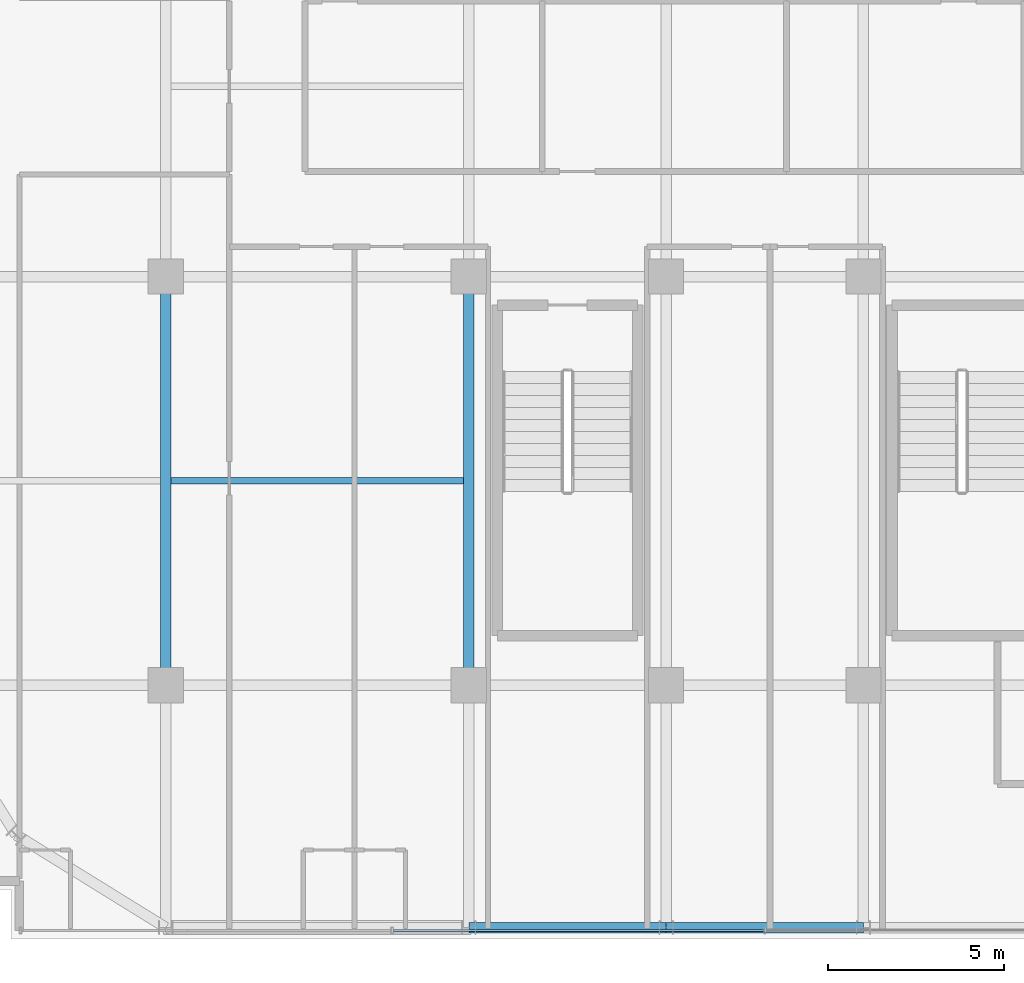
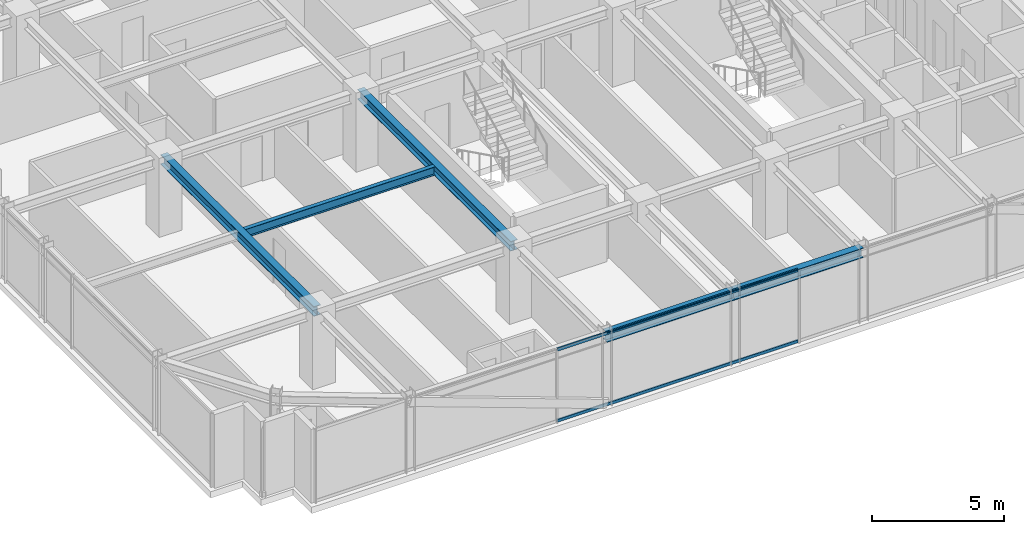
# One storey, part 7 of 43: 5 beams, 2 members, 1 element without a shape of its own.
"""IFC4 building model written with IfcOpenShell, lengths in metres."""

from ifc_helpers import new_model, si_unit, direction, frame, origin, origin_2d, place, context, subcontext, project, spatial, hollow_rectangle, i_section, extrude, source, transform, mapped, material, material_profile, profile_set, type_object, element, aggregate, save


model = new_model("IFC4")

# Units and contexts
model_context = context("Model", 3, precision=1e-05, world=origin(), true_north=direction((0.0, 1.0)))
body_context = subcontext(model_context, "Body", "Model", "MODEL_VIEW")
ifc_project = project(units=[si_unit("LENGTHUNIT", "METRE"), si_unit("AREAUNIT", "SQUARE_METRE"), si_unit("VOLUMEUNIT", "CUBIC_METRE"), si_unit("PLANEANGLEUNIT", "RADIAN"), si_unit("MASSUNIT", "GRAM", prefix="KILO")], contexts=[model_context])

# Site, building, storey
site_placement = place(None, origin())
site = spatial("IfcSite", under=ifc_project, at=site_placement, CompositionType="ELEMENT")
building_placement = place(site_placement, origin())
building = spatial("IfcBuilding", under=site, at=building_placement, Name="Nahalor Promenade Grand Hotel", CompositionType="ELEMENT")
storey_placement = place(building_placement, frame((0.0, 0.0, 204.89990234375)))
storey = spatial("IfcBuildingStorey", under=building, at=storey_placement, Name="L52", CompositionType="ELEMENT", Elevation=204.89990234375)

# Beams
ifc_material_1 = material(Name="Steel S355JR", Category="steel")
ifc_material_profile_1 = material_profile(ifc_material_1, i_section(OverallWidth=0.3, OverallDepth=0.45, WebThickness=0.014, FlangeThickness=0.026, at=origin_2d()), Name="HEB 450")
ifc_profile_set_1 = profile_set([ifc_material_profile_1], Name="Steel S355JR")
beam_type_1 = type_object("IfcBeamType", Name="Beam-Spandrel-HEB450", PredefinedType="SPANDREL", material=ifc_profile_set_1)
shared_shape_1 = source(origin(), body_context, "Body", "SweptSolid", [
    extrude(i_section(OverallWidth=0.3, OverallDepth=0.45, WebThickness=0.014, FlangeThickness=0.026, at=origin_2d()), origin(), (0.0, 0.0, 1.0), 5.599853515625),
])
beam_1_placement = place(storey_placement, frame((-8.39990234375, -23.8798828125, 3.18505859375), z_axis=(1.0, 0.0, 0.0), x_axis=(0.0, 1.0, 0.0)))
element("IfcBeam", 1, at=beam_1_placement, inside=storey, type_object=beam_type_1, Name="BM-L52-SP-S-1", PredefinedType="SPANDREL", context=body_context, shape_type="MappedRepresentation", body=[
    mapped(shared_shape_1, transform((0.0, 0.0, 0.0), scale=1.0)),
])
shared_shape_2 = source(origin(), body_context, "Body", "SweptSolid", [
    extrude(i_section(OverallWidth=0.3, OverallDepth=0.45, WebThickness=0.014, FlangeThickness=0.026, at=origin_2d()), origin(), (0.0, 0.0, 1.0), 5.60009765625),
])
beam_2_placement = place(storey_placement, frame((-2.800048828125, -23.8798828125, 3.18505859375), z_axis=(1.0, 0.0, 0.0), x_axis=(0.0, 1.0, 0.0)))
element("IfcBeam", 2, at=beam_2_placement, inside=storey, type_object=beam_type_1, Name="BM-L52-SP-S-2", PredefinedType="SPANDREL", context=body_context, shape_type="MappedRepresentation", body=[
    mapped(shared_shape_2, transform((0.0, 0.0, 0.0), scale=1.0)),
])
ifc_material_profile_2 = material_profile(ifc_material_1, i_section(OverallWidth=0.3, OverallDepth=0.45, WebThickness=0.014, FlangeThickness=0.026, at=origin_2d()), Name="HEB 450")
ifc_profile_set_2 = profile_set([ifc_material_profile_2], Name="Steel S355JR")
beam_type_2 = type_object("IfcBeamType", Name="Beam-Girder-HEB450", PredefinedType="BEAM", material=ifc_profile_set_2)
shared_shape_3 = source(origin(), body_context, "Body", "SweptSolid", [
    extrude(i_section(OverallWidth=0.3, OverallDepth=0.45, WebThickness=0.014, FlangeThickness=0.026, at=origin_2d()), origin(), (0.0, 0.0, 1.0), 11.60009765625),
])
for number, where, z_axis, x_axis, name in (
    (3, (-17.0, -17.0, 3.18505859375), (0.0, 1.0, 0.0), (-1.0, 0.0, 0.0), "BM-L52-GY-0-1"),
    (4, (-8.39990234375, -17.0, 3.18505859375), (0.0, 1.0, 0.0), (-1.0, 0.0, 0.0), "BM-L52-GY-1-1"),
):
    element("IfcBeam", number, at=place(storey_placement, frame(where, z_axis=z_axis, x_axis=x_axis)), inside=storey, type_object=beam_type_2, Name=name, PredefinedType="BEAM", context=body_context, shape_type="MappedRepresentation", body=[
        mapped(shared_shape_3, transform((0.0, 0.0, 0.0), scale=1.0)),
    ])
ifc_material_profile_3 = material_profile(ifc_material_1, i_section(OverallWidth=0.18, OverallDepth=0.4, WebThickness=0.0086, FlangeThickness=0.0135, at=origin_2d()), Name="IPE 400")
ifc_profile_set_3 = profile_set([ifc_material_profile_3], Name="Steel S355JR")
beam_type_3 = type_object("IfcBeamType", Name="Beam-Joist-IPE400", PredefinedType="JOIST", material=ifc_profile_set_3)
shared_shape_4 = source(origin(), body_context, "Body", "SweptSolid", [
    extrude(i_section(OverallWidth=0.18, OverallDepth=0.4, WebThickness=0.0086, FlangeThickness=0.0135, at=origin_2d()), origin(), (0.0, 0.0, 1.0), 8.300048828125),
])
beam_3_placement = place(storey_placement, frame((-16.85009765625, -11.199951171875, 3.210205078125), z_axis=(1.0, 0.0, 0.0), x_axis=(0.0, 1.0, 0.0)))
element("IfcBeam", 5, at=beam_3_placement, inside=storey, type_object=beam_type_3, Name="BM-L52-JSW-0-1", PredefinedType="JOIST", context=body_context, shape_type="MappedRepresentation", body=[
    mapped(shared_shape_4, transform((0.0, 0.0, 0.0), scale=1.0)),
])

# Curtain wall, members
ifc_material_2 = material(Name="Anodised Bronze Aluminium EN AW-6063 T6", Category="aluminium")
curtain_wall_type = type_object("IfcCurtainWallType", Name="CW2 Typical Hotel Flush Bronze Unitised Curtain Wall", PredefinedType="USERDEFINED", material=ifc_material_2)
curtain_wall_placement = place(storey_placement, origin())
curtain_wall = element("IfcCurtainWall", 6, at=curtain_wall_placement, inside=storey, type_object=curtain_wall_type, Name="L52 Curtain Wall CW-L52-S-1", ObjectType="UNITISED_CURTAIN_WALL", PredefinedType="USERDEFINED")
ifc_material_profile_4 = material_profile(ifc_material_2, hollow_rectangle(XDim=0.065, YDim=0.13, WallThickness=0.004, at=origin_2d()), Name="CWT 65x130x4")
ifc_profile_set_4 = profile_set([ifc_material_profile_4], Name="Anodised Bronze Aluminium EN AW-6063 T6")
member_type = type_object("IfcMemberType", Name="CWT2 Typical Bronze Transom 65x130", PredefinedType="USERDEFINED", material=ifc_profile_set_4)
shared_shape_5 = source(origin(), body_context, "Body", "SweptSolid", [
    extrude(hollow_rectangle(XDim=0.065, YDim=0.13, WallThickness=0.004, at=origin_2d()), origin(), (0.0, 0.0, 1.0), 10.51513671875),
])
member_1_placement = place(storey_placement, frame((-10.547607421875, -23.9599609375, 0.065185546875), z_axis=(1.0, 0.0, 0.0), x_axis=(0.0, 1.0, 0.0)))
member_1 = element("IfcMember", 7, at=member_1_placement, type_object=member_type, Name="CW-L52-S-1 Transom 1-0", ObjectType="TRANSOM", PredefinedType="USERDEFINED", context=body_context, shape_type="MappedRepresentation", body=[
    mapped(shared_shape_5, transform((0.0, 0.0, 0.0), scale=1.0)),
])
member_2_placement = place(storey_placement, frame((-10.547607421875, -23.9599609375, 3.34521484375), z_axis=(1.0, 0.0, 0.0), x_axis=(0.0, 1.0, 0.0)))
member_2 = element("IfcMember", 8, at=member_2_placement, type_object=member_type, Name="CW-L52-S-1 Transom 1-1", ObjectType="TRANSOM", PredefinedType="USERDEFINED", context=body_context, shape_type="MappedRepresentation", body=[
    mapped(shared_shape_5, transform((0.0, 0.0, 0.0), scale=1.0)),
])
aggregate(curtain_wall, [member_1, member_2])

save(model, "model.ifc")
